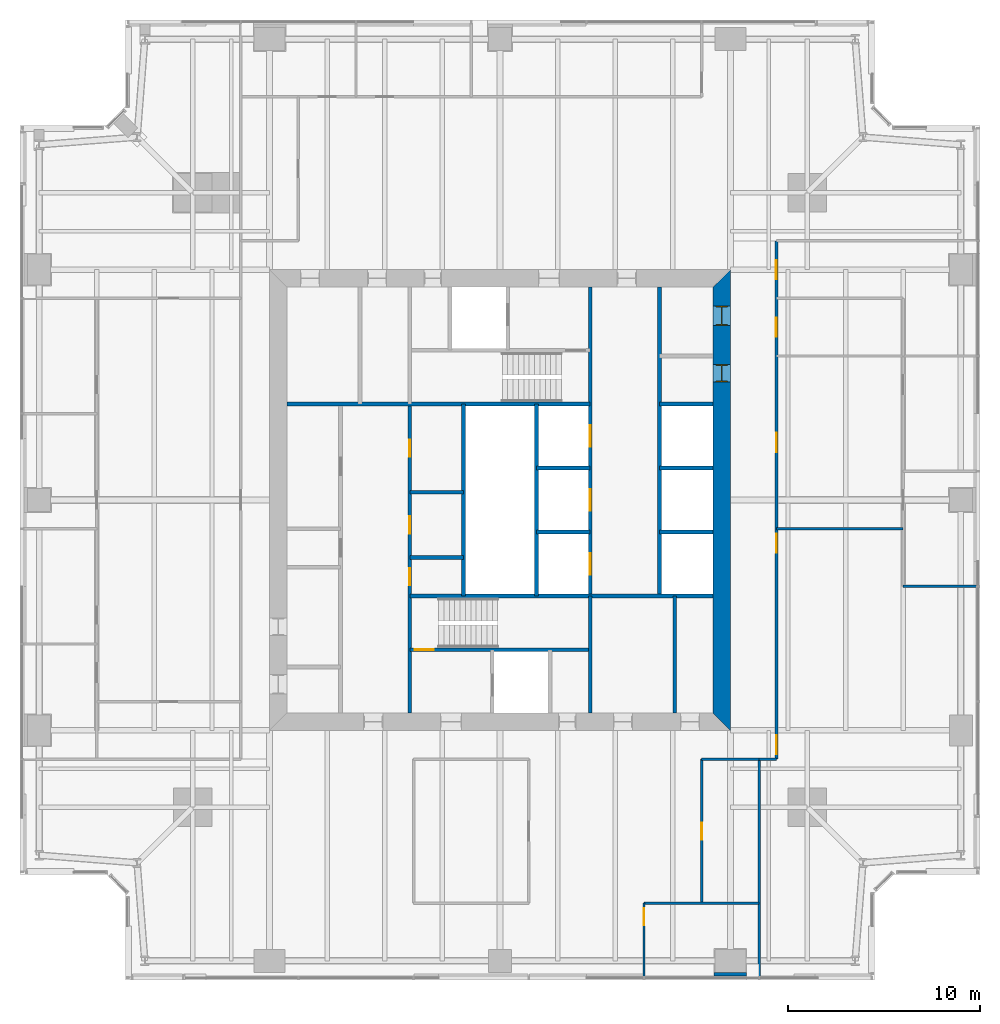
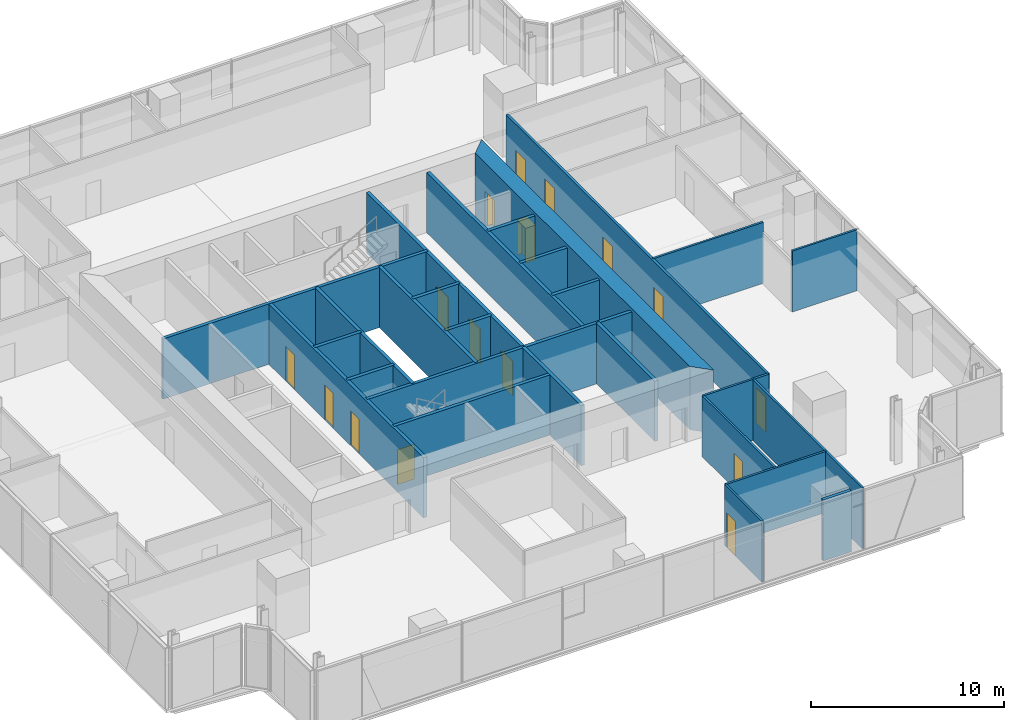
# One storey, part 10 of 16: 28 walls, 16 doors, 16 openings.
"""IFC4 building model written with IfcOpenShell, lengths in metres."""

from ifc_helpers import new_model, si_unit, direction, frame, frame_2d, origin, place, context, subcontext, project, spatial, polyline, rectangle, outline, extrude, material, layer, layer_set, type_object, element, fill, save


model = new_model("IFC4")

# Units and contexts
model_context = context("Model", 3, precision=1e-05, world=origin(), true_north=direction((0.0, 1.0)))
body_context = subcontext(model_context, "Body", "Model", "MODEL_VIEW")
ifc_project = project(units=[si_unit("LENGTHUNIT", "METRE"), si_unit("AREAUNIT", "SQUARE_METRE"), si_unit("VOLUMEUNIT", "CUBIC_METRE"), si_unit("PLANEANGLEUNIT", "RADIAN"), si_unit("MASSUNIT", "GRAM", prefix="KILO")], contexts=[model_context])

# Site, building, storey
site_placement = place(None, origin())
site = spatial("IfcSite", under=ifc_project, at=site_placement, CompositionType="ELEMENT")
building_placement = place(site_placement, origin())
building = spatial("IfcBuilding", under=site, at=building_placement, Name="Fenwick Lantern Interchange", CompositionType="ELEMENT")
storey_placement = place(building_placement, frame((0.0, 0.0, 181.800048828125)))
storey = spatial("IfcBuildingStorey", under=building, at=storey_placement, Name="L42", CompositionType="ELEMENT", Elevation=181.800048828125)

# Walls
ifc_material_1 = material(Name="Fire-rated gypsum board encasement on steel studs, 2 hour", Category="steel")
ifc_layer_1 = layer(ifc_material_1, 1.699951171875)
ifc_layer_set_1 = layer_set([ifc_layer_1], Name="COLUMN PIER 1700")
wall_type_1 = type_object("IfcWallType", Name="COLUMN PIER 1700", PredefinedType="PARTITIONING", material=ifc_layer_set_1)
wall_1_placement = place(storey_placement, frame((37.0, 0.199951171875, 0.0), z_axis=(0.0, 0.0, 1.0), x_axis=(0.0, 1.0, 0.0)))
element("IfcWall", 1, at=wall_1_placement, inside=storey, type_object=wall_type_1, Name="L42/W/PIER/CS4", PredefinedType="PARTITIONING", context=body_context, shape_type="SweptSolid", body=[
    extrude(rectangle(XDim=0.199951171875, YDim=1.699951171875, at=frame_2d((0.10009765625, 0.0))), origin(), (0.0, 0.0, 1.0), 3.849853515625),
])
ifc_material_2 = material(Name="Concrete masonry ASTM C90 Grade N", Category="masonry")
ifc_layer_2 = layer(ifc_material_2, 0.199951171875)
ifc_layer_set_2 = layer_set([ifc_layer_2], Name="Concrete masonry ASTM C90 Grade N")
wall_type_2 = type_object("IfcWallType", Name="CORE PARTITION 200", PredefinedType="PARTITIONING", material=ifc_layer_set_2)
wall_2_placement = place(storey_placement, frame((23.10009765625, 20.0, 0.0), z_axis=(0.0, 0.0, 1.0), x_axis=(0.0, 1.0, 0.0)))
element("IfcWall", 2, at=wall_2_placement, inside=storey, type_object=wall_type_2, Name="L42/W/CORES/e3", PredefinedType="PARTITIONING", context=body_context, shape_type="SweptSolid", body=[
    extrude(rectangle(XDim=10.0, YDim=0.199951171875, at=frame_2d((5.0, 0.0))), origin(), (0.0, 0.0, 1.0), 3.800048828125),
])
wall_3_placement = place(storey_placement, frame((34.10009765625, 13.89990234375, 0.0), z_axis=(0.0, 0.0, 1.0), x_axis=(0.0, 1.0, 0.0)))
element("IfcWall", 3, at=wall_3_placement, inside=storey, type_object=wall_type_2, Name="L42/W/CORES/i2", PredefinedType="PARTITIONING", context=body_context, shape_type="SweptSolid", body=[
    extrude(rectangle(XDim=6.10009765625, YDim=0.199951171875, at=frame_2d((3.050048828125, 0.0))), origin(), (0.0, 0.0, 1.0), 3.800048828125),
])
for number, where, z_axis, x_axis, name in (
    (4, (20.300048828125, 22.0, 0.0), (0.0, 0.0, 1.0), (1.0, 0.0, 0.0), "L42/W/CORES/q1"),
    (5, (20.300048828125, 25.39990234375, 0.0), (0.0, 0.0, 1.0), (1.0, 0.0, 0.0), "L42/W/CORES/q2"),
):
    element("IfcWall", number, at=place(storey_placement, frame(where, z_axis=z_axis, x_axis=x_axis)), inside=storey, type_object=wall_type_2, Name=name, PredefinedType="PARTITIONING", context=body_context, shape_type="SweptSolid", body=[
        extrude(rectangle(XDim=2.800048828125, YDim=0.199951171875, at=frame_2d((1.39990234375, 0.0))), origin(), (0.0, 0.0, 1.0), 3.800048828125),
    ])
wall_4_placement = place(storey_placement, frame((33.300048828125, 36.10009765625, 0.0), z_axis=(0.0, 0.0, 1.0), x_axis=(0.0, -1.0, 0.0)))
element("IfcWall", 6, at=wall_4_placement, inside=storey, type_object=wall_type_2, Name="L42/W/COREN/a", PredefinedType="PARTITIONING", context=body_context, shape_type="SweptSolid", body=[
    extrude(rectangle(XDim=16.10009765625, YDim=0.199951171875, at=frame_2d((8.050048828125, 0.0))), origin(), (0.0, 0.0, 1.0), 3.800048828125),
])
for number, where, z_axis, x_axis, name in (
    (7, (36.10009765625, 30.0, 0.0), (0.0, 0.0, 1.0), (-1.0, 0.0, 0.0), "L42/W/COREN/c2"),
    (8, (36.10009765625, 26.666748046875, 0.0), (0.0, 0.0, 1.0), (-1.0, 0.0, 0.0), "L42/W/COREN/d1"),
    (9, (36.10009765625, 23.333251953125, 0.0), (0.0, 0.0, 1.0), (-1.0, 0.0, 0.0), "L42/W/COREN/d2"),
    (10, (29.699951171875, 26.666748046875, 0.0), (0.0, 0.0, 1.0), (-1.0, 0.0, 0.0), "L42/W/COREN/e1"),
    (11, (29.699951171875, 23.333251953125, 0.0), (0.0, 0.0, 1.0), (-1.0, 0.0, 0.0), "L42/W/COREN/e2"),
):
    element("IfcWall", number, at=place(storey_placement, frame(where, z_axis=z_axis, x_axis=x_axis)), inside=storey, type_object=wall_type_2, Name=name, PredefinedType="PARTITIONING", context=body_context, shape_type="SweptSolid", body=[
        extrude(rectangle(XDim=2.800048828125, YDim=0.199951171875, at=frame_2d((1.39990234375, 0.0))), origin(), (0.0, 0.0, 1.0), 3.800048828125),
    ])
wall_5_placement = place(storey_placement, frame((26.89990234375, 30.0, 0.0), z_axis=(0.0, 0.0, 1.0), x_axis=(0.0, -1.0, 0.0)))
element("IfcWall", 12, at=wall_5_placement, inside=storey, type_object=wall_type_2, Name="L42/W/COREN/e3", PredefinedType="PARTITIONING", context=body_context, shape_type="SweptSolid", body=[
    extrude(rectangle(XDim=10.0, YDim=0.199951171875, at=frame_2d((5.0, 0.0))), origin(), (0.0, 0.0, 1.0), 3.800048828125),
])

# Wall, openings, doors
ifc_material_3 = material(Name="Concrete f'c 70 MPa", Category="concrete")
ifc_layer_3 = layer(ifc_material_3, 0.89990234375)
ifc_layer_set_3 = layer_set([ifc_layer_3], Name="CORE WALL 900")
wall_type_3 = type_object("IfcWallType", Name="CORE WALL 900", PredefinedType="SHEAR", material=ifc_layer_set_3)
wall_6_placement = place(storey_placement, frame((36.550048828125, 13.89990234375, 0.0), z_axis=(0.0, 0.0, 1.0), x_axis=(0.0, 1.0, 0.0)))
wall_6 = element("IfcWall", 13, at=wall_6_placement, inside=storey, type_object=wall_type_3, Name="L42/CORE/E", PredefinedType="SHEAR", context=body_context, shape_type="SweptSolid", body=[
    extrude(outline(polyline([(-0.89990234375, -0.449951171875), (23.10009765625, -0.449951171875), (22.199951171875, 0.449951171875), (0.0, 0.449951171875), (-0.89990234375, -0.449951171875)])), origin(), (0.0, 0.0, 1.0), 4.0),
])
opening_1_placement = place(wall_6_placement, frame((20.199951171875, 0.0, 0.0)))
opening_1 = element("IfcOpeningElement", 14, at=opening_1_placement, cuts=wall_6, Name="Opening L42-D020", PredefinedType="OPENING", context=body_context, shape_type="SweptSolid", body=[
    extrude(rectangle(XDim=1.0, YDim=2.199951171875, at=frame_2d((0.5, 1.10009765625))), frame((0.0, 0.4599609375, 0.0), z_axis=(0.0, -1.0, 0.0), x_axis=(1.0, 0.0, 0.0)), (0.0, 0.0, 1.0), 0.919921875),
])
opening_2_placement = place(wall_6_placement, frame((17.25, 0.0, 0.0)))
opening_2 = element("IfcOpeningElement", 15, at=opening_2_placement, cuts=wall_6, Name="Opening L42-D021", PredefinedType="OPENING", context=body_context, shape_type="SweptSolid", body=[
    extrude(rectangle(XDim=0.89990234375, YDim=2.199951171875, at=frame_2d((0.449951171875, 1.10009765625))), frame((0.0, 0.4599609375, 0.0), z_axis=(0.0, -1.0, 0.0), x_axis=(1.0, 0.0, 0.0)), (0.0, 0.0, 1.0), 0.919921875),
])
ifc_material_4 = material(Name="Steel door and frame", Category="steel")
door_type_1 = type_object("IfcDoorType", Name="SERVICE DOOR 900 X 2200", OperationType="SINGLE_SWING_LEFT", PredefinedType="DOOR", material=ifc_material_4)
door_1_placement = place(opening_2_placement, origin())
door_1 = element("IfcDoor", 16, at=door_1_placement, inside=storey, type_object=door_type_1, Name="Service door", OperationType="SINGLE_SWING_RIGHT", OverallHeight=2.199951171875, OverallWidth=0.89990234375, PredefinedType="DOOR", context=body_context, shape_type="SweptSolid", body=[
    extrude(rectangle(XDim=0.89990234375, YDim=2.199951171875, at=frame_2d((0.449951171875, 1.10009765625))), frame((0.0, 0.02490234375, 0.0), z_axis=(0.0, -1.0, 0.0), x_axis=(1.0, 0.0, 0.0)), (0.0, 0.0, 1.0), 0.050048828125),
    extrude(outline(polyline([(0.0, 0.0), (0.0400390625, 0.0), (0.0400390625, 2.159912109375), (0.85986328125, 2.159912109375), (0.85986328125, 0.0), (0.89990234375, 0.0), (0.89990234375, 2.199951171875), (0.0, 2.199951171875), (0.0, 0.0)])), frame((0.0, 0.300048828125, 0.0), z_axis=(0.0, -1.0, 0.0), x_axis=(1.0, 0.0, 0.0)), (0.0, 0.0, 1.0), 0.60009765625),
])
fill(opening_2, door_1)
ifc_material_5 = material(Name="Hardwood door and steel frame", Category="steel")
door_type_2 = type_object("IfcDoorType", Name="WC DOOR 1000 X 2200", OperationType="SINGLE_SWING_LEFT", PredefinedType="DOOR", material=ifc_material_5)
door_2_placement = place(opening_1_placement, origin())
door_2 = element("IfcDoor", 17, at=door_2_placement, inside=storey, type_object=door_type_2, Name="Wc door", OperationType="SINGLE_SWING_RIGHT", OverallHeight=2.199951171875, OverallWidth=1.0, PredefinedType="DOOR", context=body_context, shape_type="SweptSolid", body=[
    extrude(rectangle(XDim=1.0, YDim=2.199951171875, at=frame_2d((0.5, 1.10009765625))), frame((0.0, 0.02490234375, 0.0), z_axis=(0.0, -1.0, 0.0), x_axis=(1.0, 0.0, 0.0)), (0.0, 0.0, 1.0), 0.050048828125),
    extrude(outline(polyline([(0.0, 0.0), (0.0400390625, 0.0), (0.0400390625, 2.159912109375), (0.9599609375, 2.159912109375), (0.9599609375, 0.0), (1.0, 0.0), (1.0, 2.199951171875), (0.0, 2.199951171875), (0.0, 0.0)])), frame((0.0, 0.300048828125, 0.0), z_axis=(0.0, -1.0, 0.0), x_axis=(1.0, 0.0, 0.0)), (0.0, 0.0, 1.0), 0.60009765625),
])
fill(opening_1, door_2)

# Wall
ifc_material_6 = material(Name="Gypsum board on steel studs, 1 hour", Category="steel")
ifc_layer_4 = layer(ifc_material_6, 0.14990234375)
ifc_layer_set_4 = layer_set([ifc_layer_4], Name="CORRIDOR WALL 150")
wall_type_4 = type_object("IfcWallType", Name="CORRIDOR WALL 150", PredefinedType="PARTITIONING", material=ifc_layer_set_4)
wall_7_placement = place(storey_placement, frame((38.5, 11.5, 0.0), z_axis=(0.0, 0.0, 1.0), x_axis=(1.0, 0.0, 0.0)))
element("IfcWall", 18, at=wall_7_placement, inside=storey, type_object=wall_type_4, Name="L42/W/OFF/E/CWJ", PredefinedType="PARTITIONING", context=body_context, shape_type="SweptSolid", body=[
    extrude(rectangle(XDim=0.89990234375, YDim=0.14990234375, at=frame_2d((0.449951171875, 0.0))), origin(), (0.0, 0.0, 1.0), 3.849853515625),
])

# Wall, openings, doors
wall_8_placement = place(storey_placement, frame((39.39990234375, 11.5, 0.0), z_axis=(0.0, 0.0, 1.0), x_axis=(0.0, 1.0, 0.0)))
wall_8 = element("IfcWall", 19, at=wall_8_placement, inside=storey, type_object=wall_type_4, Name="L42/W/OFF/E/CW2", PredefinedType="PARTITIONING", context=body_context, shape_type="SweptSolid", body=[
    extrude(rectangle(XDim=27.0, YDim=0.14990234375, at=frame_2d((13.5, 0.0))), origin(), (0.0, 0.0, 1.0), 3.849853515625),
])
opening_3_placement = place(wall_8_placement, frame((16.0, 0.0, 0.0)))
opening_3 = element("IfcOpeningElement", 20, at=opening_3_placement, cuts=wall_8, Name="Opening L42-D025", PredefinedType="OPENING", context=body_context, shape_type="SweptSolid", body=[
    extrude(rectangle(XDim=1.0, YDim=2.199951171875, at=frame_2d((0.5, 1.10009765625))), frame((0.0, 0.0849609375, 0.0), z_axis=(0.0, -1.0, 0.0), x_axis=(1.0, 0.0, 0.0)), (0.0, 0.0, 1.0), 0.169921875),
])
opening_4_placement = place(wall_8_placement, frame((0.25, 0.0, 0.0)))
opening_4 = element("IfcOpeningElement", 21, at=opening_4_placement, cuts=wall_8, Name="Opening L42-D028", PredefinedType="OPENING", context=body_context, shape_type="SweptSolid", body=[
    extrude(rectangle(XDim=1.0, YDim=2.199951171875, at=frame_2d((0.5, 1.10009765625))), frame((0.0, 0.0849609375, 0.0), z_axis=(0.0, -1.0, 0.0), x_axis=(1.0, 0.0, 0.0)), (0.0, 0.0, 1.0), 0.169921875),
])
opening_5_placement = place(wall_8_placement, frame((10.75, 0.0, 0.0)))
opening_5 = element("IfcOpeningElement", 22, at=opening_5_placement, cuts=wall_8, Name="Opening L42-D029", PredefinedType="OPENING", context=body_context, shape_type="SweptSolid", body=[
    extrude(rectangle(XDim=1.0, YDim=2.199951171875, at=frame_2d((0.5, 1.10009765625))), frame((0.0, 0.0849609375, 0.0), z_axis=(0.0, -1.0, 0.0), x_axis=(1.0, 0.0, 0.0)), (0.0, 0.0, 1.0), 0.169921875),
])
opening_6_placement = place(wall_8_placement, frame((22.0, 0.0, 0.0)))
opening_6 = element("IfcOpeningElement", 23, at=opening_6_placement, cuts=wall_8, Name="Opening L42-D030", PredefinedType="OPENING", context=body_context, shape_type="SweptSolid", body=[
    extrude(rectangle(XDim=1.0, YDim=2.199951171875, at=frame_2d((0.5, 1.10009765625))), frame((0.0, 0.0849609375, 0.0), z_axis=(0.0, -1.0, 0.0), x_axis=(1.0, 0.0, 0.0)), (0.0, 0.0, 1.0), 0.169921875),
])
opening_7_placement = place(wall_8_placement, frame((25.0, 0.0, 0.0)))
opening_7 = element("IfcOpeningElement", 24, at=opening_7_placement, cuts=wall_8, Name="Opening L42-D031", PredefinedType="OPENING", context=body_context, shape_type="SweptSolid", body=[
    extrude(rectangle(XDim=1.0, YDim=2.199951171875, at=frame_2d((0.5, 1.10009765625))), frame((0.0, 0.0849609375, 0.0), z_axis=(0.0, -1.0, 0.0), x_axis=(1.0, 0.0, 0.0)), (0.0, 0.0, 1.0), 0.169921875),
])
door_type_3 = type_object("IfcDoorType", Name="SUITE ENTRANCE DOOR 1000 X 2200", OperationType="SINGLE_SWING_LEFT", PredefinedType="DOOR", material=ifc_material_4)
door_3_placement = place(opening_3_placement, origin())
door_3 = element("IfcDoor", 25, at=door_3_placement, inside=storey, type_object=door_type_3, Name="Suite entrance door", OperationType="SINGLE_SWING_RIGHT", OverallHeight=2.199951171875, OverallWidth=1.0, PredefinedType="DOOR", context=body_context, shape_type="SweptSolid", body=[
    extrude(rectangle(XDim=1.0, YDim=2.199951171875, at=frame_2d((0.5, 1.10009765625))), frame((0.0, 0.02490234375, 0.0), z_axis=(0.0, -1.0, 0.0), x_axis=(1.0, 0.0, 0.0)), (0.0, 0.0, 1.0), 0.050048828125),
])
fill(opening_3, door_3)
door_4_placement = place(opening_4_placement, origin())
door_4 = element("IfcDoor", 26, at=door_4_placement, inside=storey, type_object=door_type_3, Name="Suite entrance door", OperationType="SINGLE_SWING_LEFT", OverallHeight=2.199951171875, OverallWidth=1.0, PredefinedType="DOOR", context=body_context, shape_type="SweptSolid", body=[
    extrude(rectangle(XDim=1.0, YDim=2.199951171875, at=frame_2d((0.5, 1.10009765625))), frame((0.0, 0.02490234375, 0.0), z_axis=(0.0, -1.0, 0.0), x_axis=(1.0, 0.0, 0.0)), (0.0, 0.0, 1.0), 0.050048828125),
])
fill(opening_4, door_4)
door_5_placement = place(opening_5_placement, origin())
door_5 = element("IfcDoor", 27, at=door_5_placement, inside=storey, type_object=door_type_3, Name="Suite entrance door", OperationType="SINGLE_SWING_LEFT", OverallHeight=2.199951171875, OverallWidth=1.0, PredefinedType="DOOR", context=body_context, shape_type="SweptSolid", body=[
    extrude(rectangle(XDim=1.0, YDim=2.199951171875, at=frame_2d((0.5, 1.10009765625))), frame((0.0, 0.02490234375, 0.0), z_axis=(0.0, -1.0, 0.0), x_axis=(1.0, 0.0, 0.0)), (0.0, 0.0, 1.0), 0.050048828125),
])
fill(opening_5, door_5)
door_6_placement = place(opening_6_placement, frame((1.0, 0.0, 0.0), z_axis=(0.0, 0.0, 1.0), x_axis=(-1.0, 0.0, 0.0)))
door_6 = element("IfcDoor", 28, at=door_6_placement, inside=storey, type_object=door_type_3, Name="Suite entrance door", OperationType="SINGLE_SWING_RIGHT", OverallHeight=2.199951171875, OverallWidth=1.0, PredefinedType="DOOR", context=body_context, shape_type="SweptSolid", body=[
    extrude(rectangle(XDim=1.0, YDim=2.199951171875, at=frame_2d((0.5, 1.10009765625))), frame((0.0, 0.02490234375, 0.0), z_axis=(0.0, -1.0, 0.0), x_axis=(1.0, 0.0, 0.0)), (0.0, 0.0, 1.0), 0.050048828125),
])
fill(opening_6, door_6)
door_7_placement = place(opening_7_placement, frame((1.0, 0.0, 0.0), z_axis=(0.0, 0.0, 1.0), x_axis=(-1.0, 0.0, 0.0)))
door_7 = element("IfcDoor", 29, at=door_7_placement, inside=storey, type_object=door_type_3, Name="Suite entrance door", OperationType="SINGLE_SWING_RIGHT", OverallHeight=2.199951171875, OverallWidth=1.0, PredefinedType="DOOR", context=body_context, shape_type="SweptSolid", body=[
    extrude(rectangle(XDim=1.0, YDim=2.199951171875, at=frame_2d((0.5, 1.10009765625))), frame((0.0, 0.02490234375, 0.0), z_axis=(0.0, -1.0, 0.0), x_axis=(1.0, 0.0, 0.0)), (0.0, 0.0, 1.0), 0.050048828125),
])
fill(opening_7, door_7)

# Wall, opening, door
ifc_material_7 = material(Name="Gypsum board on steel studs, acoustic", Category="steel")
ifc_layer_5 = layer(ifc_material_7, 0.125)
ifc_layer_set_5 = layer_set([ifc_layer_5], Name="OFFICE PARTITION 125")
wall_type_5 = type_object("IfcWallType", Name="OFFICE PARTITION 125", PredefinedType="PARTITIONING", material=ifc_layer_set_5)
wall_9_placement = place(storey_placement, frame((32.5, 0.14990234375, 0.0), z_axis=(0.0, 0.0, 1.0), x_axis=(0.0, 1.0, 0.0)))
wall_9 = element("IfcWall", 30, at=wall_9_placement, inside=storey, type_object=wall_type_5, Name="L42/W/OFF/S/X325-1", PredefinedType="PARTITIONING", context=body_context, shape_type="SweptSolid", body=[
    extrude(rectangle(XDim=3.85009765625, YDim=0.125, at=frame_2d((1.925048828125, 0.0))), origin(), (0.0, 0.0, 1.0), 3.849853515625),
])
opening_8_placement = place(wall_9_placement, frame((2.699951171875, 0.0, 0.0)))
opening_8 = element("IfcOpeningElement", 31, at=opening_8_placement, cuts=wall_9, Name="Opening L42-D023", PredefinedType="OPENING", context=body_context, shape_type="SweptSolid", body=[
    extrude(rectangle(XDim=0.89990234375, YDim=2.199951171875, at=frame_2d((0.449951171875, 1.10009765625))), frame((0.0, 0.072509765625, 0.0), z_axis=(0.0, -1.0, 0.0), x_axis=(1.0, 0.0, 0.0)), (0.0, 0.0, 1.0), 0.14501953125),
])
door_type_4 = type_object("IfcDoorType", Name="OFFICE DOOR 900 X 2200", OperationType="SINGLE_SWING_LEFT", PredefinedType="DOOR", material=ifc_material_5)
door_8_placement = place(opening_8_placement, frame((0.89990234375, 0.0, 0.0), z_axis=(0.0, 0.0, 1.0), x_axis=(-1.0, 0.0, 0.0)))
door_8 = element("IfcDoor", 32, at=door_8_placement, inside=storey, type_object=door_type_4, Name="Office door", OperationType="SINGLE_SWING_LEFT", OverallHeight=2.199951171875, OverallWidth=0.89990234375, PredefinedType="DOOR", context=body_context, shape_type="SweptSolid", body=[
    extrude(rectangle(XDim=0.89990234375, YDim=2.199951171875, at=frame_2d((0.449951171875, 1.10009765625))), frame((0.0, 0.02490234375, 0.0), z_axis=(0.0, -1.0, 0.0), x_axis=(1.0, 0.0, 0.0)), (0.0, 0.0, 1.0), 0.050048828125),
])
fill(opening_8, door_8)

wall_10_placement = place(storey_placement, frame((35.5, 4.0, 0.0), z_axis=(0.0, 0.0, 1.0), x_axis=(0.0, 1.0, 0.0)))
wall_10 = element("IfcWall", 33, at=wall_10_placement, inside=storey, type_object=wall_type_5, Name="L42/W/OFF/S/X355-1", PredefinedType="PARTITIONING", context=body_context, shape_type="SweptSolid", body=[
    extrude(rectangle(XDim=7.5, YDim=0.125, at=frame_2d((3.75, 0.0))), origin(), (0.0, 0.0, 1.0), 3.849853515625),
])
opening_9_placement = place(wall_10_placement, frame((3.300048828125, 0.0, 0.0)))
opening_9 = element("IfcOpeningElement", 34, at=opening_9_placement, cuts=wall_10, Name="Opening L42-D024", PredefinedType="OPENING", context=body_context, shape_type="SweptSolid", body=[
    extrude(rectangle(XDim=0.89990234375, YDim=2.199951171875, at=frame_2d((0.449951171875, 1.10009765625))), frame((0.0, 0.072509765625, 0.0), z_axis=(0.0, -1.0, 0.0), x_axis=(1.0, 0.0, 0.0)), (0.0, 0.0, 1.0), 0.14501953125),
])
door_9_placement = place(opening_9_placement, frame((0.89990234375, 0.0, 0.0), z_axis=(0.0, 0.0, 1.0), x_axis=(-1.0, 0.0, 0.0)))
door_9 = element("IfcDoor", 35, at=door_9_placement, inside=storey, type_object=door_type_4, Name="Office door", OperationType="SINGLE_SWING_RIGHT", OverallHeight=2.199951171875, OverallWidth=0.89990234375, PredefinedType="DOOR", context=body_context, shape_type="SweptSolid", body=[
    extrude(rectangle(XDim=0.89990234375, YDim=2.199951171875, at=frame_2d((0.449951171875, 1.10009765625))), frame((0.0, 0.02490234375, 0.0), z_axis=(0.0, -1.0, 0.0), x_axis=(1.0, 0.0, 0.0)), (0.0, 0.0, 1.0), 0.050048828125),
])
fill(opening_9, door_9)

# Walls
wall_11_placement = place(storey_placement, frame((32.5, 4.0, 0.0), z_axis=(0.0, 0.0, 1.0), x_axis=(1.0, 0.0, 0.0)))
element("IfcWall", 36, at=wall_11_placement, inside=storey, type_object=wall_type_5, Name="L42/W/OFF/S/Y40-2", PredefinedType="PARTITIONING", context=body_context, shape_type="SweptSolid", body=[
    extrude(rectangle(XDim=6.0, YDim=0.125, at=frame_2d((3.0, 0.0))), origin(), (0.0, 0.0, 1.0), 3.849853515625),
])
wall_12_placement = place(storey_placement, frame((35.5, 11.5, 0.0), z_axis=(0.0, 0.0, 1.0), x_axis=(1.0, 0.0, 0.0)))
element("IfcWall", 37, at=wall_12_placement, inside=storey, type_object=wall_type_5, Name="L42/W/OFF/S/CWS2", PredefinedType="PARTITIONING", context=body_context, shape_type="SweptSolid", body=[
    extrude(rectangle(XDim=3.0, YDim=0.125, at=frame_2d((1.5, 0.0))), origin(), (0.0, 0.0, 1.0), 3.849853515625),
])
wall_13_placement = place(storey_placement, frame((38.5, 0.14990234375, 0.0), z_axis=(0.0, 0.0, 1.0), x_axis=(0.0, 1.0, 0.0)))
element("IfcWall", 38, at=wall_13_placement, inside=storey, type_object=wall_type_5, Name="L42/W/OFF/E/BACK", PredefinedType="PARTITIONING", context=body_context, shape_type="SweptSolid", body=[
    extrude(rectangle(XDim=11.35009765625, YDim=0.125, at=frame_2d((5.675048828125, 0.0))), origin(), (0.0, 0.0, 1.0), 3.849853515625),
])
wall_14_placement = place(storey_placement, frame((49.85009765625, 20.5, 0.0), z_axis=(0.0, 0.0, 1.0), x_axis=(-1.0, 0.0, 0.0)))
element("IfcWall", 39, at=wall_14_placement, inside=storey, type_object=wall_type_5, Name="L42/W/OFF/E/X205-1", PredefinedType="PARTITIONING", context=body_context, shape_type="SweptSolid", body=[
    extrude(rectangle(XDim=3.85009765625, YDim=0.125, at=frame_2d((1.925048828125, 0.0))), origin(), (0.0, 0.0, 1.0), 3.849853515625),
])
wall_15_placement = place(storey_placement, frame((46.0, 23.5, 0.0), z_axis=(0.0, 0.0, 1.0), x_axis=(-1.0, 0.0, 0.0)))
element("IfcWall", 40, at=wall_15_placement, inside=storey, type_object=wall_type_5, Name="L42/W/OFF/E/X235-1", PredefinedType="PARTITIONING", context=body_context, shape_type="SweptSolid", body=[
    extrude(rectangle(XDim=6.60009765625, YDim=0.125, at=frame_2d((3.300048828125, 0.0))), origin(), (0.0, 0.0, 1.0), 3.849853515625),
])

# Wall, openings, doors
ifc_material_8 = material(Name="Concrete f'c 45 MPa", Category="concrete")
ifc_layer_6 = layer(ifc_material_8, 0.199951171875)
ifc_layer_set_6 = layer_set([ifc_layer_6], Name="STAIR CORE WALL 200")
wall_type_6 = type_object("IfcWallType", Name="STAIR CORE WALL 200", PredefinedType="SOLIDWALL", material=ifc_layer_set_6)
wall_16_placement = place(storey_placement, frame((20.300048828125, 13.89990234375, 0.0), z_axis=(0.0, 0.0, 1.0), x_axis=(0.0, 1.0, 0.0)))
wall_16 = element("IfcWall", 41, at=wall_16_placement, inside=storey, type_object=wall_type_6, Name="L42/W/CORES/b", PredefinedType="SOLIDWALL", context=body_context, shape_type="SweptSolid", body=[
    extrude(rectangle(XDim=16.10009765625, YDim=0.199951171875, at=frame_2d((8.050048828125, 0.0))), origin(), (0.0, 0.0, 1.0), 3.800048828125),
])
opening_10_placement = place(wall_16_placement, frame((6.64990234375, 0.0, 0.0)))
opening_10 = element("IfcOpeningElement", 42, at=opening_10_placement, cuts=wall_16, Name="Opening L42-D011", PredefinedType="OPENING", context=body_context, shape_type="SweptSolid", body=[
    extrude(rectangle(XDim=0.89990234375, YDim=2.199951171875, at=frame_2d((0.449951171875, 1.10009765625))), frame((0.0, 0.10986328125, 0.0), z_axis=(0.0, -1.0, 0.0), x_axis=(1.0, 0.0, 0.0)), (0.0, 0.0, 1.0), 0.219970703125),
])
opening_11_placement = place(wall_16_placement, frame((9.35009765625, 0.0, 0.0)))
opening_11 = element("IfcOpeningElement", 43, at=opening_11_placement, cuts=wall_16, Name="Opening L42-D012", PredefinedType="OPENING", context=body_context, shape_type="SweptSolid", body=[
    extrude(rectangle(XDim=0.89990234375, YDim=2.199951171875, at=frame_2d((0.449951171875, 1.10009765625))), frame((0.0, 0.10986328125, 0.0), z_axis=(0.0, -1.0, 0.0), x_axis=(1.0, 0.0, 0.0)), (0.0, 0.0, 1.0), 0.219970703125),
])
opening_12_placement = place(wall_16_placement, frame((13.35009765625, 0.0, 0.0)))
opening_12 = element("IfcOpeningElement", 44, at=opening_12_placement, cuts=wall_16, Name="Opening L42-D013", PredefinedType="OPENING", context=body_context, shape_type="SweptSolid", body=[
    extrude(rectangle(XDim=0.89990234375, YDim=2.199951171875, at=frame_2d((0.449951171875, 1.10009765625))), frame((0.0, 0.10986328125, 0.0), z_axis=(0.0, -1.0, 0.0), x_axis=(1.0, 0.0, 0.0)), (0.0, 0.0, 1.0), 0.219970703125),
])
door_10_placement = place(opening_10_placement, frame((0.89990234375, 0.0, 0.0), z_axis=(0.0, 0.0, 1.0), x_axis=(-1.0, 0.0, 0.0)))
door_10 = element("IfcDoor", 45, at=door_10_placement, inside=storey, type_object=door_type_1, Name="Service door", OperationType="SINGLE_SWING_RIGHT", OverallHeight=2.199951171875, OverallWidth=0.89990234375, PredefinedType="DOOR", context=body_context, shape_type="SweptSolid", body=[
    extrude(rectangle(XDim=0.89990234375, YDim=2.199951171875, at=frame_2d((0.449951171875, 1.10009765625))), frame((0.0, 0.02490234375, 0.0), z_axis=(0.0, -1.0, 0.0), x_axis=(1.0, 0.0, 0.0)), (0.0, 0.0, 1.0), 0.050048828125),
])
fill(opening_10, door_10)
door_11_placement = place(opening_11_placement, frame((0.89990234375, 0.0, 0.0), z_axis=(0.0, 0.0, 1.0), x_axis=(-1.0, 0.0, 0.0)))
door_11 = element("IfcDoor", 46, at=door_11_placement, inside=storey, type_object=door_type_1, Name="Service door", OperationType="SINGLE_SWING_RIGHT", OverallHeight=2.199951171875, OverallWidth=0.89990234375, PredefinedType="DOOR", context=body_context, shape_type="SweptSolid", body=[
    extrude(rectangle(XDim=0.89990234375, YDim=2.199951171875, at=frame_2d((0.449951171875, 1.10009765625))), frame((0.0, 0.02490234375, 0.0), z_axis=(0.0, -1.0, 0.0), x_axis=(1.0, 0.0, 0.0)), (0.0, 0.0, 1.0), 0.050048828125),
])
fill(opening_11, door_11)
door_12_placement = place(opening_12_placement, frame((0.89990234375, 0.0, 0.0), z_axis=(0.0, 0.0, 1.0), x_axis=(-1.0, 0.0, 0.0)))
door_12 = element("IfcDoor", 47, at=door_12_placement, inside=storey, type_object=door_type_1, Name="Service door", OperationType="SINGLE_SWING_RIGHT", OverallHeight=2.199951171875, OverallWidth=0.89990234375, PredefinedType="DOOR", context=body_context, shape_type="SweptSolid", body=[
    extrude(rectangle(XDim=0.89990234375, YDim=2.199951171875, at=frame_2d((0.449951171875, 1.10009765625))), frame((0.0, 0.02490234375, 0.0), z_axis=(0.0, -1.0, 0.0), x_axis=(1.0, 0.0, 0.0)), (0.0, 0.0, 1.0), 0.050048828125),
])
fill(opening_12, door_12)

# Wall, opening, door
wall_17_placement = place(storey_placement, frame((20.300048828125, 17.199951171875, 0.0), z_axis=(0.0, 0.0, 1.0), x_axis=(1.0, 0.0, 0.0)))
wall_17 = element("IfcWall", 48, at=wall_17_placement, inside=storey, type_object=wall_type_6, Name="L42/W/CORES/g1", PredefinedType="SOLIDWALL", context=body_context, shape_type="SweptSolid", body=[
    extrude(rectangle(XDim=9.39990234375, YDim=0.199951171875, at=frame_2d((4.699951171875, 0.0))), origin(), (0.0, 0.0, 1.0), 3.800048828125),
])
opening_13_placement = place(wall_17_placement, frame((0.25, 0.0, 0.0)))
opening_13 = element("IfcOpeningElement", 49, at=opening_13_placement, cuts=wall_17, Name="Opening L42-D003", PredefinedType="OPENING", context=body_context, shape_type="SweptSolid", body=[
    extrude(rectangle(XDim=1.0, YDim=2.199951171875, at=frame_2d((0.5, 1.10009765625))), frame((0.0, 0.10986328125, 0.0), z_axis=(0.0, -1.0, 0.0), x_axis=(1.0, 0.0, 0.0)), (0.0, 0.0, 1.0), 0.219970703125),
])
door_type_5 = type_object("IfcDoorType", Name="STAIR DOOR 1000 X 2200", OperationType="SINGLE_SWING_LEFT", PredefinedType="DOOR", material=ifc_material_4)
door_13_placement = place(opening_13_placement, origin())
door_13 = element("IfcDoor", 50, at=door_13_placement, inside=storey, type_object=door_type_5, Name="Stair door", OperationType="SINGLE_SWING_LEFT", OverallHeight=2.199951171875, OverallWidth=1.0, PredefinedType="DOOR", context=body_context, shape_type="SweptSolid", body=[
    extrude(rectangle(XDim=1.0, YDim=2.199951171875, at=frame_2d((0.5, 1.10009765625))), frame((0.0, 0.02490234375, 0.0), z_axis=(0.0, -1.0, 0.0), x_axis=(1.0, 0.0, 0.0)), (0.0, 0.0, 1.0), 0.050048828125),
])
fill(opening_13, door_13)

# Walls
wall_18_placement = place(storey_placement, frame((20.300048828125, 20.0, 0.0), z_axis=(0.0, 0.0, 1.0), x_axis=(1.0, 0.0, 0.0)))
element("IfcWall", 51, at=wall_18_placement, inside=storey, type_object=wall_type_6, Name="L42/W/CORES/g2", PredefinedType="SOLIDWALL", context=body_context, shape_type="SweptSolid", body=[
    extrude(rectangle(XDim=15.800048828125, YDim=0.199951171875, at=frame_2d((7.89990234375, 0.0))), origin(), (0.0, 0.0, 1.0), 3.800048828125),
])
wall_19_placement = place(storey_placement, frame((29.699951171875, 13.89990234375, 0.0), z_axis=(0.0, 0.0, 1.0), x_axis=(0.0, 1.0, 0.0)))
element("IfcWall", 52, at=wall_19_placement, inside=storey, type_object=wall_type_6, Name="L42/W/CORES/i1", PredefinedType="SOLIDWALL", context=body_context, shape_type="SweptSolid", body=[
    extrude(rectangle(XDim=6.10009765625, YDim=0.199951171875, at=frame_2d((3.050048828125, 0.0))), origin(), (0.0, 0.0, 1.0), 3.800048828125),
])

# Wall, openings, doors
wall_20_placement = place(storey_placement, frame((29.699951171875, 36.10009765625, 0.0), z_axis=(0.0, 0.0, 1.0), x_axis=(0.0, -1.0, 0.0)))
wall_20 = element("IfcWall", 53, at=wall_20_placement, inside=storey, type_object=wall_type_6, Name="L42/W/COREN/b", PredefinedType="SOLIDWALL", context=body_context, shape_type="SweptSolid", body=[
    extrude(rectangle(XDim=16.10009765625, YDim=0.199951171875, at=frame_2d((8.050048828125, 0.0))), origin(), (0.0, 0.0, 1.0), 3.800048828125),
])
opening_14_placement = place(wall_20_placement, frame((7.216552734375, 0.0, 0.0)))
opening_14 = element("IfcOpeningElement", 54, at=opening_14_placement, cuts=wall_20, Name="Opening LD-E2-1", PredefinedType="OPENING", context=body_context, shape_type="SweptSolid", body=[
    extrude(rectangle(XDim=1.10009765625, YDim=2.199951171875, at=frame_2d((0.550048828125, 1.10009765625))), frame((0.0, 0.10986328125, 0.0), z_axis=(0.0, -1.0, 0.0), x_axis=(1.0, 0.0, 0.0)), (0.0, 0.0, 1.0), 0.219970703125),
])
opening_15_placement = place(wall_20_placement, frame((10.550048828125, 0.0, 0.0)))
opening_15 = element("IfcOpeningElement", 55, at=opening_15_placement, cuts=wall_20, Name="Opening LD-E2-2", PredefinedType="OPENING", context=body_context, shape_type="SweptSolid", body=[
    extrude(rectangle(XDim=1.10009765625, YDim=2.199951171875, at=frame_2d((0.550048828125, 1.10009765625))), frame((0.0, 0.10986328125, 0.0), z_axis=(0.0, -1.0, 0.0), x_axis=(1.0, 0.0, 0.0)), (0.0, 0.0, 1.0), 0.219970703125),
])
opening_16_placement = place(wall_20_placement, frame((13.88330078125, 0.0, 0.0)))
opening_16 = element("IfcOpeningElement", 56, at=opening_16_placement, cuts=wall_20, Name="Opening LD-E2-3", PredefinedType="OPENING", context=body_context, shape_type="SweptSolid", body=[
    extrude(rectangle(XDim=1.10009765625, YDim=2.199951171875, at=frame_2d((0.550048828125, 1.10009765625))), frame((0.0, 0.10986328125, 0.0), z_axis=(0.0, -1.0, 0.0), x_axis=(1.0, 0.0, 0.0)), (0.0, 0.0, 1.0), 0.219970703125),
])
door_type_6 = type_object("IfcDoorType", Name="LIFT LANDING DOOR 1100 X 2200", OperationType="DOUBLE_DOOR_SLIDING", PredefinedType="DOOR", material=ifc_material_4)
door_14_placement = place(opening_14_placement, origin())
door_14 = element("IfcDoor", 57, at=door_14_placement, inside=storey, type_object=door_type_6, Name="Lift landing door E2-1", OperationType="DOUBLE_DOOR_SLIDING", OverallHeight=2.199951171875, OverallWidth=1.10009765625, PredefinedType="DOOR", context=body_context, shape_type="SweptSolid", body=[
    extrude(rectangle(XDim=1.10009765625, YDim=2.199951171875, at=frame_2d((0.550048828125, 1.10009765625))), frame((0.0, 0.02490234375, 0.0), z_axis=(0.0, -1.0, 0.0), x_axis=(1.0, 0.0, 0.0)), (0.0, 0.0, 1.0), 0.050048828125),
])
fill(opening_14, door_14)
door_15_placement = place(opening_15_placement, origin())
door_15 = element("IfcDoor", 58, at=door_15_placement, inside=storey, type_object=door_type_6, Name="Lift landing door E2-2", OperationType="DOUBLE_DOOR_SLIDING", OverallHeight=2.199951171875, OverallWidth=1.10009765625, PredefinedType="DOOR", context=body_context, shape_type="SweptSolid", body=[
    extrude(rectangle(XDim=1.10009765625, YDim=2.199951171875, at=frame_2d((0.550048828125, 1.10009765625))), frame((0.0, 0.02490234375, 0.0), z_axis=(0.0, -1.0, 0.0), x_axis=(1.0, 0.0, 0.0)), (0.0, 0.0, 1.0), 0.050048828125),
])
fill(opening_15, door_15)
door_16_placement = place(opening_16_placement, origin())
door_16 = element("IfcDoor", 59, at=door_16_placement, inside=storey, type_object=door_type_6, Name="Lift landing door E2-3", OperationType="DOUBLE_DOOR_SLIDING", OverallHeight=2.199951171875, OverallWidth=1.10009765625, PredefinedType="DOOR", context=body_context, shape_type="SweptSolid", body=[
    extrude(rectangle(XDim=1.10009765625, YDim=2.199951171875, at=frame_2d((0.550048828125, 1.10009765625))), frame((0.0, 0.02490234375, 0.0), z_axis=(0.0, -1.0, 0.0), x_axis=(1.0, 0.0, 0.0)), (0.0, 0.0, 1.0), 0.050048828125),
])
fill(opening_16, door_16)

# Wall
wall_21_placement = place(storey_placement, frame((29.699951171875, 30.0, 0.0), z_axis=(0.0, 0.0, 1.0), x_axis=(-1.0, 0.0, 0.0)))
element("IfcWall", 60, at=wall_21_placement, inside=storey, type_object=wall_type_6, Name="L42/W/COREN/g2", PredefinedType="SOLIDWALL", context=body_context, shape_type="SweptSolid", body=[
    extrude(rectangle(XDim=15.800048828125, YDim=0.199951171875, at=frame_2d((7.89990234375, 0.0))), origin(), (0.0, 0.0, 1.0), 3.800048828125),
])

save(model, "model.ifc")
